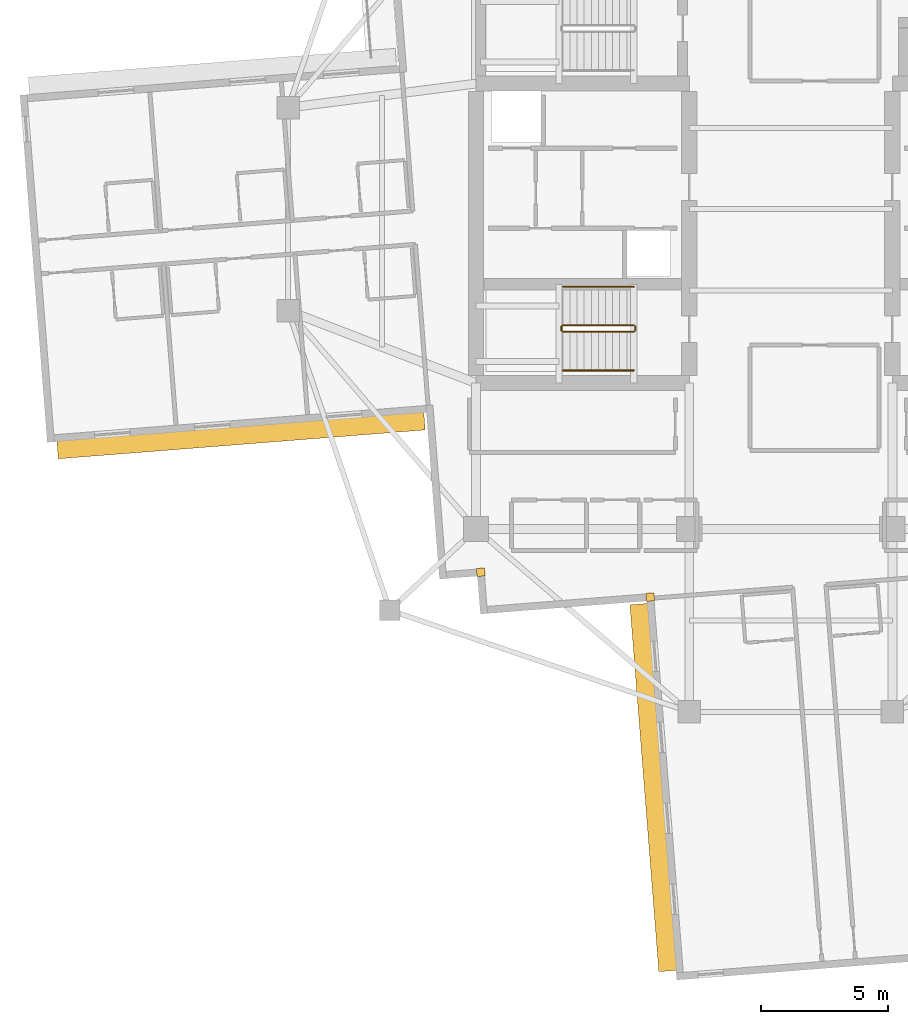
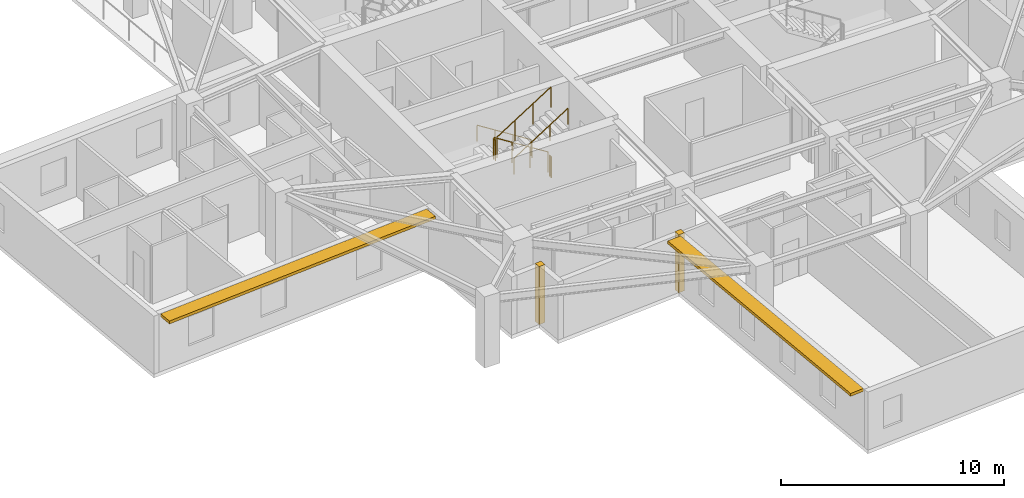
# One storey, part 10 of 13: 6 railings, 2 coverings, 2 shading devices.
"""IFC4 building model written with IfcOpenShell, lengths in metres."""

from ifc_helpers import new_model, si_unit, direction, frame, origin, origin_2d, place, context, subcontext, project, spatial, rectangle, circle, extrude, material, layer, layer_set, type_object, element, save


model = new_model("IFC4")

# Units and contexts
model_context = context("Model", 3, precision=1e-05, world=origin(), true_north=direction((0.0, 1.0)))
body_context = subcontext(model_context, "Body", "Model", "MODEL_VIEW")
ifc_project = project(units=[si_unit("LENGTHUNIT", "METRE"), si_unit("AREAUNIT", "SQUARE_METRE"), si_unit("VOLUMEUNIT", "CUBIC_METRE"), si_unit("PLANEANGLEUNIT", "RADIAN"), si_unit("MASSUNIT", "GRAM", prefix="KILO")], contexts=[model_context])

# Site, building, storey
site_placement = place(None, origin())
site = spatial("IfcSite", under=ifc_project, at=site_placement, CompositionType="ELEMENT")
building_placement = place(site_placement, origin())
building = spatial("IfcBuilding", under=site, at=building_placement, Name="Qingluan Cross Belvedere", CompositionType="ELEMENT")
storey_placement = place(building_placement, frame((0.0, 0.0, 205.199951171875)))
storey = spatial("IfcBuildingStorey", under=building, at=storey_placement, Name="L51", CompositionType="ELEMENT", Elevation=205.199951171875)

# Coverings
ifc_material_1 = material(Name="Precast concrete C45", Category="concrete")
ifc_layer_1 = layer(ifc_material_1, 0.1201171875, Name="ConcreteSpandrelCladding_120")
ifc_layer_set_1 = layer_set([ifc_layer_1], Name="Precast concrete C45")
covering_type = type_object("IfcCoveringType", Name="ConcreteSpandrelCladding_120", PredefinedType="CLADDING", material=ifc_layer_set_1)
for number, where, z_axis, x_axis, name in (
    (1, (-12.215576171875, -14.302490234375, 0.0), (0.0, 0.0, 1.0), (0.996917333733, 0.078459095728, 0.0), "Corner closure L51-SW1"),
    (2, (-5.5380859375, -15.281494140625, 0.0), (0.0, 0.0, 1.0), (0.996917333733, 0.078459095728, 0.0), "Corner closure L51-SW2"),
):
    element("IfcCovering", number, at=place(storey_placement, frame(where, z_axis=z_axis, x_axis=x_axis)), inside=storey, type_object=covering_type, Name=name, PredefinedType="CLADDING", context=body_context, shape_type="SweptSolid", body=[
        extrude(rectangle(XDim=0.320068359375, YDim=0.320068359375, at=origin_2d()), origin(), (0.0, 0.0, 1.0), 3.179931640625),
    ])

# Shading devices
ifc_material_2 = material(Name="Precast concrete C45", Category="concrete")
ifc_layer_2 = layer(ifc_material_2, 0.139892578125, Name="ConcreteSunshadeBand_700")
ifc_layer_set_2 = layer_set([ifc_layer_2], Name="Precast concrete C45")
shading_device_type = type_object("IfcShadingDeviceType", Name="ConcreteSunshadeBand_700", PredefinedType="USERDEFINED", material=ifc_layer_set_2)
for number, where, z_axis, x_axis, name in (
    (3, (-21.6572265625, -8.916748046875, 3.0), (0.0, 0.0, 1.0), (0.996917599256, 0.078455721862, 0.0), "Concrete SUNSHADE L51-WB"),
    (4, (-5.4189453125, -22.785400390625, 3.0), (0.0, 0.0, 1.0), (0.078455721862, -0.996917599256, 0.0), "Concrete SUNSHADE L51-SA"),
):
    element("IfcShadingDevice", number, at=place(storey_placement, frame(where, z_axis=z_axis, x_axis=x_axis)), inside=storey, type_object=shading_device_type, Name=name, ObjectType="SUNSHADE", PredefinedType="USERDEFINED", context=body_context, shape_type="SweptSolid", body=[
        extrude(rectangle(XDim=14.5, YDim=0.699951171875, at=origin_2d()), origin(), (0.0, 0.0, 1.0), 0.159912109375),
    ])

# Railings
ifc_material_3 = material(Name="Brushed stainless steel tubular handrail", Category="steel")
railing_type_1 = type_object("IfcRailingType", Name="StairPitchHandrail_900", PredefinedType="HANDRAIL", material=ifc_material_3)
railing_1_placement = place(storey_placement, frame((-6.179931640625, -3.050048828125, 0.17724609375)))
element("IfcRailing", 5, at=railing_1_placement, inside=storey, type_object=railing_type_1, Name="L51 ST1 stair handrail 1", PredefinedType="HANDRAIL", context=body_context, shape_type="SweptSolid", body=[
    extrude(circle(Radius=0.02392578125, at=origin_2d()), frame((0.0, 0.0, 0.8759765625), z_axis=(-0.844908973607, 0.0, 0.534910110503), x_axis=(0.0, -1.0, 0.0)), (0.0, 0.0, 1.0), 3.31396484375),
    extrude(circle(Radius=0.02099609375, at=origin_2d()), origin(), (0.0, 0.0, 1.0), 0.851806640625),
    extrude(circle(Radius=0.02099609375, at=origin_2d()), frame((-0.933349609375, 0.0, 0.5908203125)), (0.0, 0.0, 1.0), 0.851806640625),
    extrude(circle(Radius=0.02099609375, at=origin_2d()), frame((-1.86669921875, 0.0, 1.181884765625)), (0.0, 0.0, 1.0), 0.851806640625),
    extrude(circle(Radius=0.02099609375, at=origin_2d()), frame((-2.800048828125, 0.0, 1.772705078125)), (0.0, 0.0, 1.0), 0.851806640625),
])
railing_2_placement = place(storey_placement, frame((-8.97998046875, -6.35009765625, 2.12744140625)))
element("IfcRailing", 6, at=railing_2_placement, inside=storey, type_object=railing_type_1, Name="L51 ST1 stair handrail 2", PredefinedType="HANDRAIL", context=body_context, shape_type="SweptSolid", body=[
    extrude(circle(Radius=0.02392578125, at=origin_2d()), frame((0.0, 0.0, 0.8759765625), z_axis=(0.844908973607, 0.0, 0.534910110503), x_axis=(0.0, 1.0, 0.0)), (0.0, 0.0, 1.0), 3.31396484375),
    extrude(circle(Radius=0.02099609375, at=origin_2d()), origin(), (0.0, 0.0, 1.0), 0.851806640625),
    extrude(circle(Radius=0.02099609375, at=origin_2d()), frame((0.933349609375, 0.0, 0.5908203125)), (0.0, 0.0, 1.0), 0.851806640625),
    extrude(circle(Radius=0.02099609375, at=origin_2d()), frame((1.86669921875, 0.0, 1.181884765625)), (0.0, 0.0, 1.0), 0.851806640625),
    extrude(circle(Radius=0.02099609375, at=origin_2d()), frame((2.800048828125, 0.0, 1.772705078125)), (0.0, 0.0, 1.0), 0.851806640625),
])
ifc_material_4 = material(Name="Painted steel stair well guard", Category="steel")
railing_type_2 = type_object("IfcRailingType", Name="StairWellGuard_1150", PredefinedType="BALUSTRADE", material=ifc_material_4)
railing_3_placement = place(storey_placement, frame((-6.179931640625, -4.570068359375, 0.17724609375)))
element("IfcRailing", 7, at=railing_3_placement, inside=storey, type_object=railing_type_2, Name="L51 ST1 stair guard 1", PredefinedType="BALUSTRADE", context=body_context, shape_type="SweptSolid", body=[
    extrude(circle(Radius=0.02392578125, at=origin_2d()), frame((0.0, 0.0, 1.1259765625), z_axis=(-0.844908973607, 0.0, 0.534910110503), x_axis=(0.0, -1.0, 0.0)), (0.0, 0.0, 1.0), 3.31396484375),
    extrude(circle(Radius=0.02099609375, at=origin_2d()), origin(), (0.0, 0.0, 1.0), 1.101806640625),
    extrude(circle(Radius=0.02099609375, at=origin_2d()), frame((-0.933349609375, 0.0, 0.5908203125)), (0.0, 0.0, 1.0), 1.101806640625),
    extrude(circle(Radius=0.02099609375, at=origin_2d()), frame((-1.86669921875, 0.0, 1.181884765625)), (0.0, 0.0, 1.0), 1.101806640625),
    extrude(circle(Radius=0.02099609375, at=origin_2d()), frame((-2.800048828125, 0.0, 1.772705078125)), (0.0, 0.0, 1.0), 1.101806640625),
])
railing_4_placement = place(storey_placement, frame((-9.030029296875, -4.6201171875, 1.949951171875)))
element("IfcRailing", 8, at=railing_4_placement, inside=storey, type_object=railing_type_2, Name="L51 ST1 stair guard 2", PredefinedType="BALUSTRADE", context=body_context, shape_type="SweptSolid", body=[
    extrude(circle(Radius=0.02392578125, at=origin_2d()), frame((0.0, 0.0, 1.1259765625), z_axis=(0.0, -1.0, 0.0), x_axis=(1.0, 0.0, 0.0)), (0.0, 0.0, 1.0), 0.159912109375),
    extrude(circle(Radius=0.02099609375, at=origin_2d()), origin(), (0.0, 0.0, 1.0), 1.101806640625),
    extrude(circle(Radius=0.02099609375, at=origin_2d()), frame((0.0, -0.159912109375, 0.0)), (0.0, 0.0, 1.0), 1.101806640625),
])
railing_5_placement = place(storey_placement, frame((-8.97998046875, -4.830078125, 2.12744140625)))
element("IfcRailing", 9, at=railing_5_placement, inside=storey, type_object=railing_type_2, Name="L51 ST1 stair guard 3", PredefinedType="BALUSTRADE", context=body_context, shape_type="SweptSolid", body=[
    extrude(circle(Radius=0.02392578125, at=origin_2d()), frame((0.0, 0.0, 1.1259765625), z_axis=(0.844908973607, 0.0, 0.534910110503), x_axis=(0.0, 1.0, 0.0)), (0.0, 0.0, 1.0), 3.31396484375),
    extrude(circle(Radius=0.02099609375, at=origin_2d()), origin(), (0.0, 0.0, 1.0), 1.101806640625),
    extrude(circle(Radius=0.02099609375, at=origin_2d()), frame((0.933349609375, 0.0, 0.5908203125)), (0.0, 0.0, 1.0), 1.101806640625),
    extrude(circle(Radius=0.02099609375, at=origin_2d()), frame((1.86669921875, 0.0, 1.181884765625)), (0.0, 0.0, 1.0), 1.101806640625),
    extrude(circle(Radius=0.02099609375, at=origin_2d()), frame((2.800048828125, 0.0, 1.772705078125)), (0.0, 0.0, 1.0), 1.101806640625),
])
railing_6_placement = place(storey_placement, frame((-6.1298828125, -4.6201171875, 0.0)))
element("IfcRailing", 10, at=railing_6_placement, inside=storey, type_object=railing_type_2, Name="L51 ST1 stair guard 4", PredefinedType="BALUSTRADE", context=body_context, shape_type="SweptSolid", body=[
    extrude(circle(Radius=0.02392578125, at=origin_2d()), frame((0.0, 0.0, 1.1259765625), z_axis=(0.0, -1.0, 0.0), x_axis=(1.0, 0.0, 0.0)), (0.0, 0.0, 1.0), 0.159912109375),
    extrude(circle(Radius=0.02099609375, at=origin_2d()), origin(), (0.0, 0.0, 1.0), 1.101806640625),
    extrude(circle(Radius=0.02099609375, at=origin_2d()), frame((0.0, -0.159912109375, 0.0)), (0.0, 0.0, 1.0), 1.101806640625),
])

save(model, "model.ifc")
